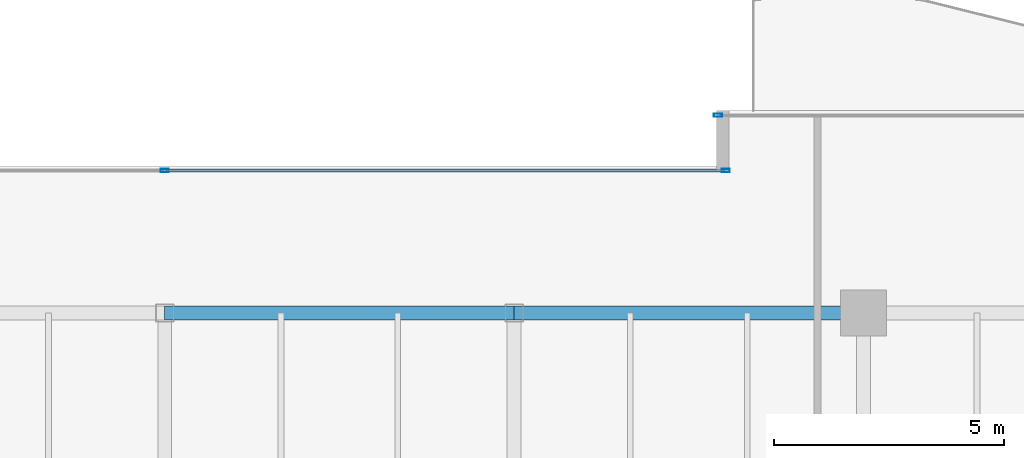
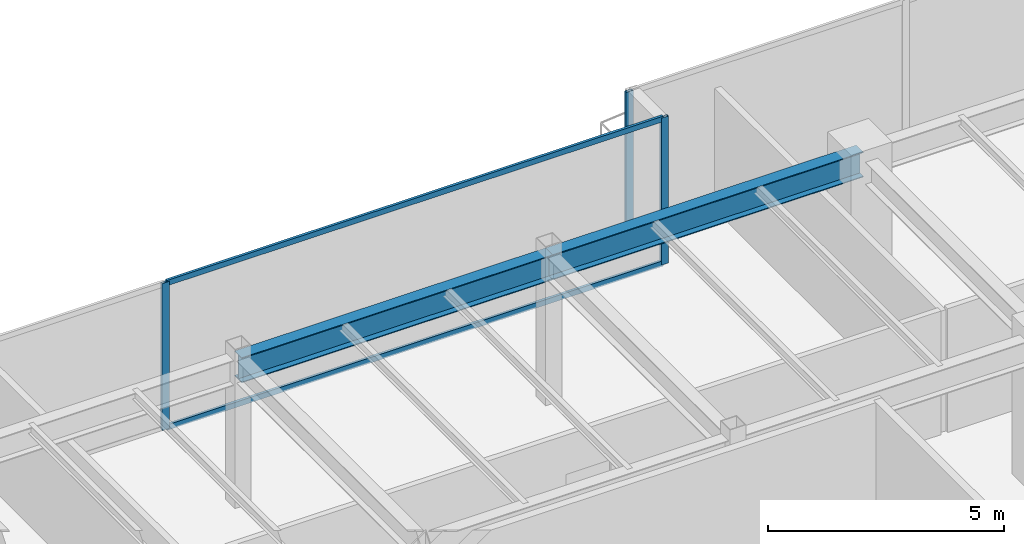
# One storey, part 19 of 34: 5 members, 2 beams, 2 elements without a shape of their own.
"""IFC4 building model written with IfcOpenShell, lengths in metres."""

import ifcopenshell
import ifcopenshell.guid

model = None  # the IFC model being written
_history = None  # IfcOwnerHistory: only IFC2X3 demands one
_inside = {}  # id of a spatial element -> (the spatial element, [elements in it])
_under = {}  # id of a project, library or spatial element -> (it, [spatial elements below it])
_declared = {}  # id of a project -> (the project, [libraries it declares])
_typed = {}  # id of a type object -> (the type object, [elements of that type])
_made_of = {}  # id of a material, layer set ... -> (it, [elements and type objects made of it])


def new_model(schema):
    """Start an empty IFC model of exactly this schema.

    Asked for "IFC4X3", IfcOpenShell would pick the latest addendum, in which some entities
    have other attributes; the version numbers below select the first issue.
    IFC2X3 requires an IfcOwnerHistory on every rooted entity: one is made here for all.
    """
    global model, _history
    if schema == "IFC4X3":
        model = ifcopenshell.file(schema_version=(4, 3, 0, 0))
    else:
        model = ifcopenshell.file(schema=schema)
    _inside.clear()
    _under.clear()
    _declared.clear()
    _typed.clear()
    _made_of.clear()
    _history = None
    if model.schema == "IFC2X3":
        org = make("IfcOrganization", Name="unknown")
        user = make(
            "IfcPersonAndOrganization",
            ThePerson=make("IfcPerson", FamilyName="unknown"),
            TheOrganization=org,
        )
        app = make(
            "IfcApplication",
            ApplicationDeveloper=org,
            Version="unknown",
            ApplicationFullName="unknown",
            ApplicationIdentifier="unknown",
        )
        _history = make(
            "IfcOwnerHistory",
            OwningUser=user,
            OwningApplication=app,
            ChangeAction="ADDED",
            CreationDate=0,
        )
    return model


def make(cls, **values):
    """One entity of the class cls with the attributes given. An attribute that is None is left unset."""
    return model.create_entity(
        cls, **{name: value for name, value in values.items() if value is not None}
    )


def rooted(cls, **values):
    """An entity with a GlobalId (a new one), such as an element, a storey or a relation."""
    return make(cls, GlobalId=ifcopenshell.guid.new(), OwnerHistory=_history, **values)


def si_unit(unit_type, name, prefix=None):
    """IfcSIUnit, for example si_unit("LENGTHUNIT", "METRE", prefix="MILLI")."""
    return make("IfcSIUnit", UnitType=unit_type, Prefix=prefix, Name=name)


def assignment(units):
    """IfcUnitAssignment: the units of a project."""
    return None if units is None else make("IfcUnitAssignment", Units=units)


def point(xyz):
    """IfcCartesianPoint."""
    return None if xyz is None else make("IfcCartesianPoint", Coordinates=xyz)


def direction(xyz):
    """IfcDirection."""
    return None if xyz is None else make("IfcDirection", DirectionRatios=xyz)


def frame(location, z_axis=None, x_axis=None):
    """IfcAxis2Placement3D, a coordinate frame: its origin and axes. An axis left out is left unset."""
    return make(
        "IfcAxis2Placement3D",
        Location=point(location),
        Axis=direction(z_axis),
        RefDirection=direction(x_axis),
    )


def frame_2d(location, x_axis=None):
    """IfcAxis2Placement2D, a coordinate frame in the plane: its origin and x axis."""
    return make(
        "IfcAxis2Placement2D", Location=point(location), RefDirection=direction(x_axis)
    )


def origin():
    """The frame at (0, 0, 0) with its axes left unset."""
    return frame((0.0, 0.0, 0.0))


def origin_2d():
    """The frame at (0, 0) in the plane with its x axis left unset."""
    return frame_2d((0.0, 0.0))


def place(relative_to, where):
    """IfcLocalPlacement: puts the frame where relative to a parent placement (None: the world)."""
    return make(
        "IfcLocalPlacement", PlacementRelTo=relative_to, RelativePlacement=where
    )


def context(
    kind, dimensions, precision=None, world=None, true_north=None, identifier=None
):
    """IfcGeometricRepresentationContext, for example the 3D "Model" context."""
    return make(
        "IfcGeometricRepresentationContext",
        ContextIdentifier=identifier,
        ContextType=kind,
        CoordinateSpaceDimension=dimensions,
        Precision=precision,
        WorldCoordinateSystem=world,
        TrueNorth=true_north,
    )


def subcontext(parent, identifier, kind, view, scale=None):
    """IfcGeometricRepresentationSubContext, for example "Body" below "Model"."""
    return make(
        "IfcGeometricRepresentationSubContext",
        ContextIdentifier=identifier,
        ContextType=kind,
        ParentContext=parent,
        TargetScale=scale,
        TargetView=view,
    )


def project(units=None, contexts=None):
    """IfcProject with its units and contexts."""
    return rooted(
        "IfcProject",
        Name="project",
        RepresentationContexts=contexts,
        UnitsInContext=assignment(units),
    )


def spatial(cls, under=None, at=None, **own):
    """A site, building, storey or space (cls), placed at a placement, below another one or the project."""
    s = rooted(cls, ObjectPlacement=at, **own)
    if under is not None:
        _under.setdefault(under.id(), (under, []))[1].append(s)
    return s


def profile(cls, at=None, kind="AREA", **sizes):
    """A parametric profile (cls). Its sizes go by their IFC names, for example OverallWidth=200.0."""
    return make(cls, ProfileType=kind, Position=at, **sizes)


def hollow_rectangle(**sizes):
    """IfcRectangleHollowProfileDef."""
    return profile("IfcRectangleHollowProfileDef", **sizes)


def i_section(**sizes):
    """IfcIShapeProfileDef."""
    return profile("IfcIShapeProfileDef", **sizes)


def extrude(swept, where, along, depth):
    """IfcExtrudedAreaSolid: the profile swept, set in the frame where, extruded along a direction by depth."""
    return make(
        "IfcExtrudedAreaSolid",
        SweptArea=swept,
        Position=where,
        ExtrudedDirection=direction(along),
        Depth=depth,
    )


def shape(context_of_items, identifier, shape_type, items):
    """IfcShapeRepresentation: the items that make up one representation, for example the "Body"."""
    return make(
        "IfcShapeRepresentation",
        ContextOfItems=context_of_items,
        RepresentationIdentifier=identifier,
        RepresentationType=shape_type,
        Items=items,
    )


def source(mapping_origin, context_of_items, identifier, shape_type, items):
    """IfcRepresentationMap: a shape defined once, which mapped items show again and again."""
    return make(
        "IfcRepresentationMap",
        MappingOrigin=mapping_origin,
        MappedRepresentation=shape(context_of_items, identifier, shape_type, items),
    )


def transform(
    local_origin,
    x_axis=None,
    y_axis=None,
    z_axis=None,
    scale=None,
    scale2=None,
    scale3=None,
    uniform=True,
):
    """IfcCartesianTransformationOperator3D, or its non-uniform kind. x_axis, y_axis, z_axis: its Axis1, 2, 3."""
    if uniform:
        return make(
            "IfcCartesianTransformationOperator3D",
            Axis1=direction(x_axis),
            Axis2=direction(y_axis),
            LocalOrigin=point(local_origin),
            Scale=scale,
            Axis3=direction(z_axis),
        )
    return make(
        "IfcCartesianTransformationOperator3DnonUniform",
        Axis1=direction(x_axis),
        Axis2=direction(y_axis),
        LocalOrigin=point(local_origin),
        Scale=scale,
        Axis3=direction(z_axis),
        Scale2=scale2,
        Scale3=scale3,
    )


def mapped(mapping_source, mapping_target):
    """IfcMappedItem: shows the shape of a source again, moved by a transform."""
    return make(
        "IfcMappedItem", MappingSource=mapping_source, MappingTarget=mapping_target
    )


def material(Name=None, Category=None):
    """IfcMaterial."""
    return make("IfcMaterial", Name=Name, Category=Category)


def layer(
    of_material, thickness, ventilated=None, Name=None, Category=None, Priority=None
):
    """IfcMaterialLayer: one layer of a wall or slab, of a material (None: an air gap)."""
    return make(
        "IfcMaterialLayer",
        Material=of_material,
        LayerThickness=thickness,
        IsVentilated=ventilated,
        Name=Name,
        Category=Category,
        Priority=Priority,
    )


def layer_set(layers, Name=None):
    """IfcMaterialLayerSet."""
    return make("IfcMaterialLayerSet", MaterialLayers=layers, LayerSetName=Name)


def material_profile(
    of_material, cross_section, Name=None, Category=None, Priority=None
):
    """IfcMaterialProfile: a cross section and its material."""
    return make(
        "IfcMaterialProfile",
        Name=Name,
        Material=of_material,
        Profile=cross_section,
        Priority=Priority,
        Category=Category,
    )


def profile_set(profiles, Name=None, composite=None):
    """IfcMaterialProfileSet."""
    return make(
        "IfcMaterialProfileSet",
        Name=Name,
        MaterialProfiles=profiles,
        CompositeProfile=composite,
    )


def made_of(thing, what):
    """Note that an element or type object is made of a material, layer set ...; save() writes the relation."""
    if what is not None:
        _made_of.setdefault(what.id(), (what, []))[1].append(thing)
    return thing


def type_object(cls, material=None, **own):
    """A type object (cls), such as IfcWallType, which elements share."""
    return made_of(rooted(cls, **own), material)


def type_shapes(of_type, sources):
    """Give a type object the sources (RepresentationMaps) that its elements show as mapped items."""
    of_type.RepresentationMaps = sources


def element(
    cls,
    number,
    at=None,
    inside=None,
    cuts=None,
    type_object=None,
    material=None,
    context=None,
    identifier="Body",
    shape_type=None,
    held_by="IfcProductDefinitionShape",
    body=None,
    shapes=None,
    **own,
):
    """One element of the class cls, such as IfcWall. Its Tag is "e" and its number.

    at: its placement. inside: the storey or other place that contains it. cuts: it is an
    opening in that element (IfcRelVoidsElement). A single representation is given by context,
    identifier, shape_type and body (its items); several are given by shapes. held_by: the class
    of the entity that holds the representations. save() writes the other relations.
    """
    e = rooted(cls, Tag="e%d" % number, ObjectPlacement=at, **own)
    if body is not None:
        shapes = [shape(context, identifier, shape_type, body)]
    if shapes is not None:
        e.Representation = make(held_by, Representations=shapes)
    if inside is not None:
        _inside.setdefault(inside.id(), (inside, []))[1].append(e)
    if cuts is not None:
        rooted(
            "IfcRelVoidsElement", RelatingBuildingElement=cuts, RelatedOpeningElement=e
        )
    if type_object is not None:
        _typed.setdefault(type_object.id(), (type_object, []))[1].append(e)
    return made_of(e, material)


def aggregate(whole, parts):
    """IfcRelAggregates: a whole, such as a stair, and the parts it consists of."""
    return rooted("IfcRelAggregates", RelatingObject=whole, RelatedObjects=parts)


def save(model, path):
    """Write the relations noted so far, then the file.

    IfcRelAggregates (storeys below a building ...), IfcRelContainedInSpatialStructure (elements
    in a storey), IfcRelDefinesByType, IfcRelAssociatesMaterial and IfcRelDeclares: one each for
    every whole, place, type object, material and project.
    """
    for whole, parts in _under.values():
        aggregate(whole, parts)
    for where, things in _inside.values():
        rooted(
            "IfcRelContainedInSpatialStructure",
            RelatedElements=things,
            RelatingStructure=where,
        )
    for kind, things in _typed.values():
        rooted("IfcRelDefinesByType", RelatedObjects=things, RelatingType=kind)
    for what, things in _made_of.values():
        rooted("IfcRelAssociatesMaterial", RelatedObjects=things, RelatingMaterial=what)
    for by, libraries in _declared.values():
        rooted("IfcRelDeclares", RelatingContext=by, RelatedDefinitions=libraries)
    model.write(path)


model = new_model("IFC4")

# Units and contexts
model_context = context("Model", 3, precision=1e-05, world=origin(), true_north=direction((0.0, 1.0)))
body_context = subcontext(model_context, "Body", "Model", "MODEL_VIEW")
ifc_project = project(units=[si_unit("LENGTHUNIT", "METRE"), si_unit("AREAUNIT", "SQUARE_METRE"), si_unit("VOLUMEUNIT", "CUBIC_METRE"), si_unit("PLANEANGLEUNIT", "RADIAN"), si_unit("MASSUNIT", "GRAM", prefix="KILO")], contexts=[model_context])

# Site, building, storey
site_placement = place(None, origin())
site = spatial("IfcSite", under=ifc_project, at=site_placement, CompositionType="ELEMENT")
building_placement = place(site_placement, origin())
building = spatial("IfcBuilding", under=site, at=building_placement, Name="Haelvirn Gate Laboratories", CompositionType="ELEMENT")
storey_placement = place(building_placement, frame((0.0, 0.0, 246.5)))
storey = spatial("IfcBuildingStorey", under=building, at=storey_placement, Name="L59", CompositionType="ELEMENT", Elevation=246.5)

# Beams
ifc_material_1 = material(Name="Steel SM355", Category="steel")
ifc_material_profile_1 = material_profile(ifc_material_1, i_section(OverallWidth=0.300048828125, OverallDepth=0.64990234375, WebThickness=0.012939453125, FlangeThickness=0.02197265625, at=origin_2d()), Name="H-650x300x13x22")
ifc_profile_set_1 = profile_set([ifc_material_profile_1], Name="Steel SM355")
beam_type = type_object("IfcBeamType", Name="BM-G-650", PredefinedType="BEAM", material=ifc_profile_set_1)
shared_shape_1 = source(origin(), body_context, "Body", "SweptSolid", [
    extrude(i_section(OverallWidth=0.300048828125, OverallDepth=0.64990234375, WebThickness=0.012939453125, FlangeThickness=0.02197265625, at=origin_2d()), origin(), (0.0, 0.0, 1.0), 7.60009765625),
])
type_shapes(beam_type, [shared_shape_1])
for number, where, z_axis, x_axis, name in (
    (1, (37.39990234375, 41.60009765625, 3.47509765625), (1.0, 0.0, 0.0), (0.0, 1.0, 0.0), "L59 Primary Girder Y41.6 (37.4-45.0)"),
    (2, (45.0, 41.60009765625, 3.47509765625), (1.0, 0.0, 0.0), (0.0, 1.0, 0.0), "L59 Primary Girder Y41.6 (45.0-52.6)"),
):
    element("IfcBeam", number, at=place(storey_placement, frame(where, z_axis=z_axis, x_axis=x_axis)), inside=storey, type_object=beam_type, Name=name, PredefinedType="BEAM", context=body_context, shape_type="MappedRepresentation", body=[
        mapped(shared_shape_1, transform((0.0, 0.0, 0.0), scale=1.0)),
    ])

# Curtain wall, members
ifc_material_2 = material(Name="Anodised bronze unitised aluminium & triple low-E glass", Category="aluminium")
ifc_layer = layer(ifc_material_2, 0.176025390625, Name="CW-SYS-4")
ifc_layer_set = layer_set([ifc_layer], Name="Anodised bronze unitised aluminium & triple low-E glass")
curtain_wall_type = type_object("IfcCurtainWallType", Name="CW-SYS-4", PredefinedType="NOTDEFINED", material=ifc_layer_set)
curtain_wall_1_placement = place(storey_placement, origin())
curtain_wall_1 = element("IfcCurtainWall", 3, at=curtain_wall_1_placement, inside=storey, type_object=curtain_wall_type, Name="L59 Unitised Curtain Wall CW-L59-P0-E12-1", PredefinedType="NOTDEFINED")
ifc_material_3 = material(Name="Extruded aluminium 6063-T6 (anodised bronze)", Category="aluminium")
ifc_material_profile_2 = material_profile(ifc_material_3, hollow_rectangle(XDim=0.06494140625, YDim=0.139892578125, WallThickness=0.00390625, at=origin_2d()), Name="CWT-140x65x4")
ifc_profile_set_2 = profile_set([ifc_material_profile_2], Name="Extruded aluminium 6063-T6 (anodised bronze)")
member_type_1 = type_object("IfcMemberType", Name="CWT-T140", PredefinedType="USERDEFINED", material=ifc_profile_set_2)
shared_shape_2 = source(origin(), body_context, "Body", "SweptSolid", [
    extrude(hollow_rectangle(XDim=0.06494140625, YDim=0.139892578125, WallThickness=0.00390625, at=origin_2d()), origin(), (0.0, 0.0, 1.0), 12.135009765625),
])
type_shapes(member_type_1, [shared_shape_2])
member_1_placement = place(storey_placement, frame((37.43505859375, 44.699951171875, 0.032470703125), z_axis=(1.0, 0.0, 0.0), x_axis=(0.0, 1.0, 0.0)))
member_1 = element("IfcMember", 4, at=member_1_placement, type_object=member_type_1, Name="CW4 transom 2.1", ObjectType="TRANSOM", PredefinedType="USERDEFINED", context=body_context, shape_type="MappedRepresentation", body=[
    mapped(shared_shape_2, transform((0.0, 0.0, 0.0), scale=1.0)),
])
member_2_placement = place(storey_placement, frame((37.43505859375, 44.699951171875, 3.767578125), z_axis=(1.0, 0.0, 0.0), x_axis=(0.0, 1.0, 0.0)))
member_2 = element("IfcMember", 5, at=member_2_placement, type_object=member_type_1, Name="CW4 transom 2.2", ObjectType="TRANSOM", PredefinedType="USERDEFINED", context=body_context, shape_type="MappedRepresentation", body=[
    mapped(shared_shape_2, transform((0.0, 0.0, 0.0), scale=1.0)),
])

# Curtain wall, member
curtain_wall_2_placement = place(storey_placement, origin())
curtain_wall_2 = element("IfcCurtainWall", 6, at=curtain_wall_2_placement, inside=storey, type_object=curtain_wall_type, Name="L59 Unitised Curtain Wall CW-L59-P0-E10-1", PredefinedType="NOTDEFINED")
ifc_material_profile_3 = material_profile(ifc_material_3, hollow_rectangle(XDim=0.070068359375, YDim=0.179931640625, WallThickness=0.0048828125, at=origin_2d()), Name="CWM-180x70x5")
ifc_profile_set_3 = profile_set([ifc_material_profile_3], Name="Extruded aluminium 6063-T6 (anodised bronze)")
member_type_2 = type_object("IfcMemberType", Name="CWM-T180", PredefinedType="MULLION", material=ifc_profile_set_3)
shared_shape_3 = source(origin(), body_context, "Body", "SweptSolid", [
    extrude(hollow_rectangle(XDim=0.070068359375, YDim=0.179931640625, WallThickness=0.0048828125, at=origin_2d()), origin(), (0.0, 0.0, 1.0), 3.800048828125),
])
type_shapes(member_type_2, [shared_shape_3])
member_3_placement = place(storey_placement, frame((49.43505859375, 45.89990234375, 0.0), z_axis=(0.0, 0.0, 1.0), x_axis=(0.0, 1.0, 0.0)))
member_3 = element("IfcMember", 7, at=member_3_placement, type_object=member_type_2, Name="CW4 mullion 1", PredefinedType="MULLION", context=body_context, shape_type="MappedRepresentation", body=[
    mapped(shared_shape_3, transform((0.0, 0.0, 0.0), scale=1.0)),
])
aggregate(curtain_wall_2, [member_3])

# Member
member_4_placement = place(storey_placement, frame((37.39990234375, 44.699951171875, 0.0), z_axis=(0.0, 0.0, 1.0), x_axis=(0.0, 1.0, 0.0)))
member_4 = element("IfcMember", 8, at=member_4_placement, type_object=member_type_2, Name="CW4 mullion 2", PredefinedType="MULLION", context=body_context, shape_type="MappedRepresentation", body=[
    mapped(shared_shape_3, transform((0.0, 0.0, 0.0), scale=1.0)),
])

member_5_placement = place(storey_placement, frame((49.60498046875, 44.699951171875, 0.0), z_axis=(0.0, 0.0, 1.0), x_axis=(0.0, 1.0, 0.0)))
member_5 = element("IfcMember", 9, at=member_5_placement, type_object=member_type_2, Name="CW4 mullion 3", PredefinedType="MULLION", context=body_context, shape_type="MappedRepresentation", body=[
    mapped(shared_shape_3, transform((0.0, 0.0, 0.0), scale=1.0)),
])

aggregate(curtain_wall_1, [member_4, member_5, member_1, member_2])

save(model, "model.ifc")
